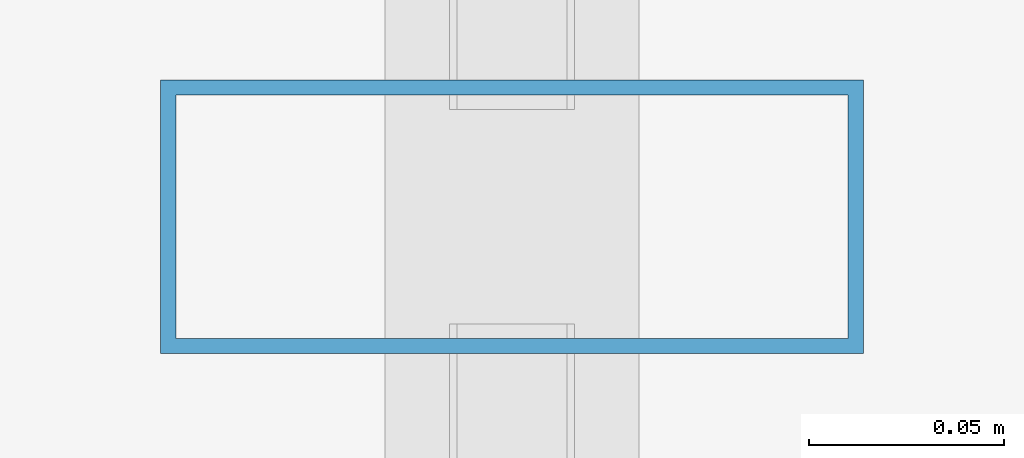
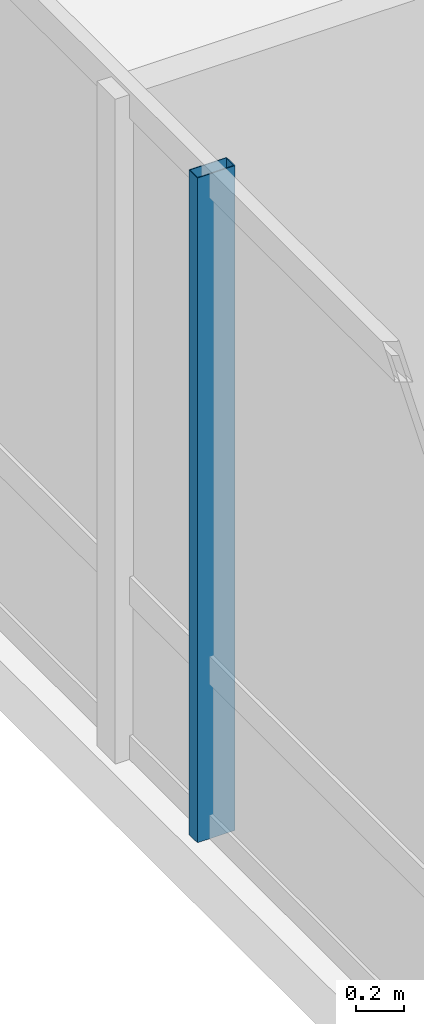
# One storey, part 13 of 31: 1 member, 1 element without a shape of its own.
"""IFC4 building model written with IfcOpenShell, lengths in metres."""

from ifc_helpers import new_model, si_unit, direction, frame, origin, origin_2d, place, context, subcontext, project, spatial, hollow_rectangle, extrude, material, layer, layer_set, material_profile, profile_set, type_object, element, aggregate, save


model = new_model("IFC4")

# Units and contexts
model_context = context("Model", 3, precision=1e-05, world=origin(), true_north=direction((0.0, 1.0)))
body_context = subcontext(model_context, "Body", "Model", "MODEL_VIEW")
ifc_project = project(units=[si_unit("LENGTHUNIT", "METRE"), si_unit("AREAUNIT", "SQUARE_METRE"), si_unit("VOLUMEUNIT", "CUBIC_METRE"), si_unit("PLANEANGLEUNIT", "RADIAN"), si_unit("MASSUNIT", "GRAM", prefix="KILO")], contexts=[model_context])

# Site, building, storey
site_placement = place(None, origin())
site = spatial("IfcSite", under=ifc_project, at=site_placement, CompositionType="ELEMENT")
building_placement = place(site_placement, origin())
building = spatial("IfcBuilding", under=site, at=building_placement, Name="Hatsunagi Terrace Concourse", CompositionType="ELEMENT")
storey_placement = place(building_placement, frame((0.0, 0.0, 112.050048828125)))
storey = spatial("IfcBuildingStorey", under=building, at=storey_placement, Name="L29", CompositionType="ELEMENT", Elevation=112.050048828125)

# Curtain wall, member
ifc_material_1 = material(Name="Anodised Aluminium Alloy 6063-T5", Category="aluminium")
ifc_layer = layer(ifc_material_1, 0.199951171875)
ifc_layer_set = layer_set([ifc_layer], Name="OfficeZone1_CW03")
curtain_wall_type = type_object("IfcCurtainWallType", Name="OfficeZone1_CW03", PredefinedType="NOTDEFINED", material=ifc_layer_set)
curtain_wall_placement = place(storey_placement, origin())
curtain_wall = element("IfcCurtainWall", 1, at=curtain_wall_placement, inside=storey, type_object=curtain_wall_type, Name="Unitised Curtain Wall CW-03 CW-L29-09", PredefinedType="NOTDEFINED")
ifc_material_2 = material(Name="Anodised Aluminium Alloy 6063-T5", Category="aluminium")
ifc_material_profile = material_profile(ifc_material_2, hollow_rectangle(XDim=0.070068359375, YDim=0.179931640625, WallThickness=0.00390625, at=origin_2d()), Name="ALU-MUL-180x70x4")
ifc_profile_set = profile_set([ifc_material_profile], Name="Anodised Aluminium Alloy 6063-T5")
member_type = type_object("IfcMemberType", Name="CurtainWallMullion_180x70", PredefinedType="MULLION", material=ifc_profile_set)
member_placement = place(storey_placement, frame((9.739990234375, 36.89990234375, 0.0), z_axis=(0.0, 0.0, 1.0), x_axis=(0.0, 1.0, 0.0)))
member = element("IfcMember", 2, at=member_placement, type_object=member_type, Name="Curtain Wall Mullion MUL-02", PredefinedType="MULLION", context=body_context, shape_type="SweptSolid", body=[
    extrude(hollow_rectangle(XDim=0.070068359375, YDim=0.179931640625, WallThickness=0.00390625, at=origin_2d()), origin(), (0.0, 0.0, 1.0), 3.349853515625),
])
aggregate(curtain_wall, [member])

save(model, "model.ifc")
